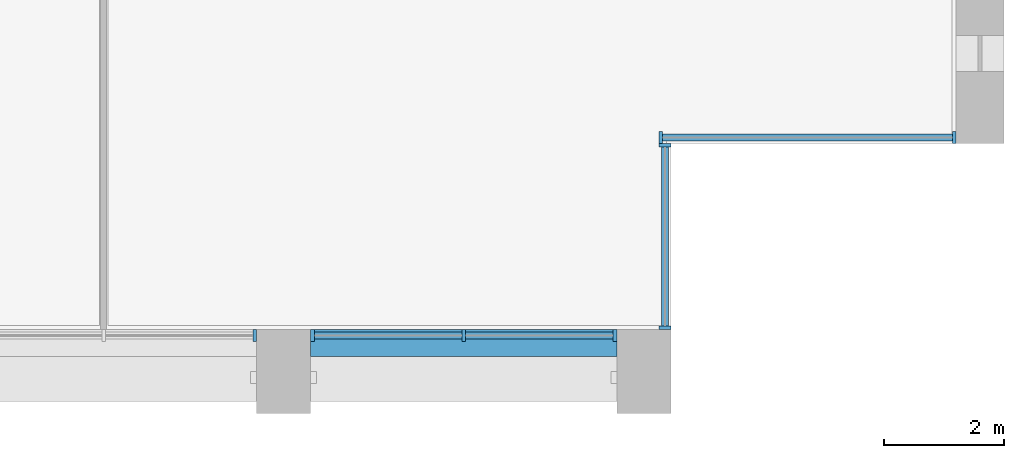
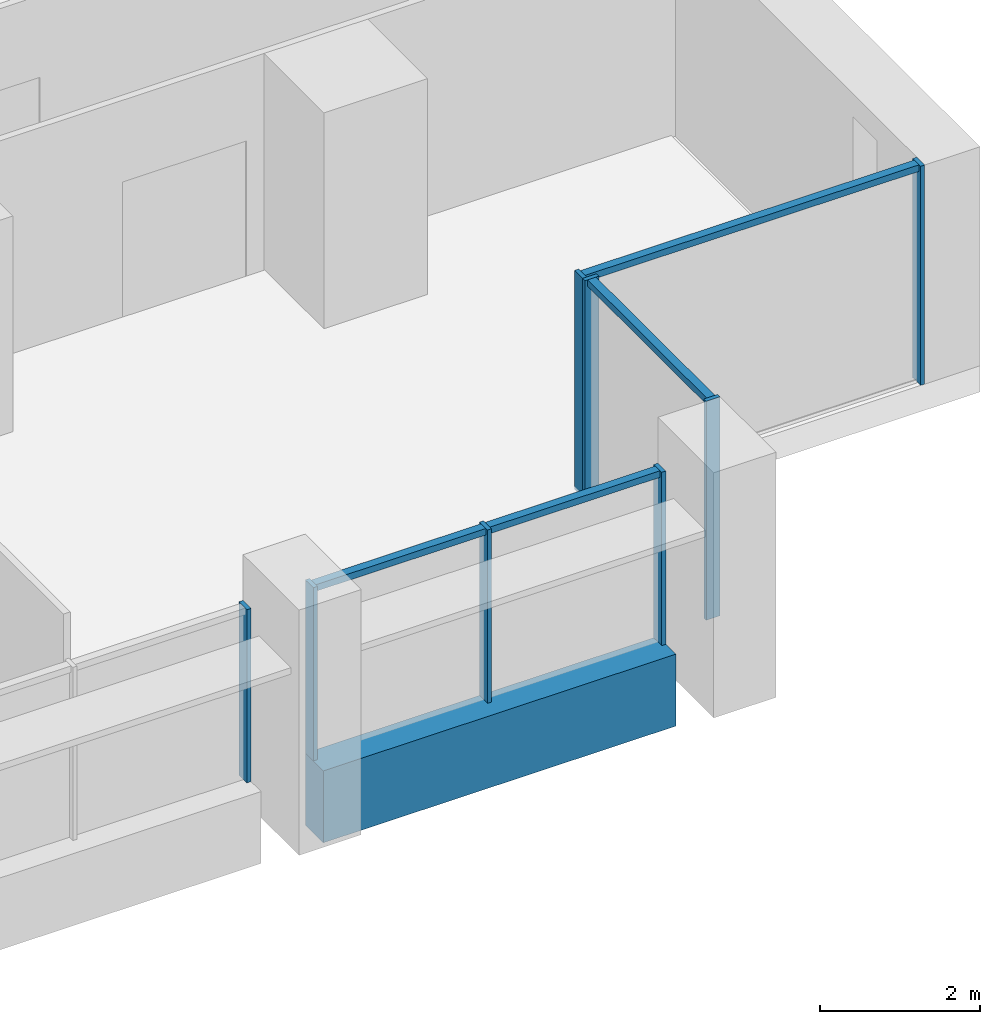
# One storey, part 5 of 18: 12 members, 1 beam, 4 elements without a shape of their own.
"""IFC4 building model written with IfcOpenShell, lengths in metres."""

from ifc_helpers import new_model, si_unit, direction, frame, origin, origin_2d, place, context, subcontext, project, spatial, rectangle, extrude, material, material_profile, profile_set, type_object, element, aggregate, save


model = new_model("IFC4")

# Units and contexts
model_context = context("Model", 3, precision=1e-05, world=origin(), true_north=direction((0.0, 1.0)))
body_context = subcontext(model_context, "Body", "Model", "MODEL_VIEW")
ifc_project = project(units=[si_unit("LENGTHUNIT", "METRE"), si_unit("AREAUNIT", "SQUARE_METRE"), si_unit("VOLUMEUNIT", "CUBIC_METRE"), si_unit("PLANEANGLEUNIT", "RADIAN"), si_unit("MASSUNIT", "GRAM", prefix="KILO")], contexts=[model_context])

# Site, building, storey
site_placement = place(None, origin())
site = spatial("IfcSite", under=ifc_project, at=site_placement, CompositionType="ELEMENT")
building_placement = place(site_placement, origin())
building = spatial("IfcBuilding", under=site, at=building_placement, Name="Calvaro Tower", CompositionType="ELEMENT")
storey_placement = place(building_placement, frame((0.0, 0.0, 82.5)))
storey = spatial("IfcBuildingStorey", under=building, at=storey_placement, Name="L20", CompositionType="ELEMENT", Elevation=82.5)

# Curtain wall, member
ifc_material_1 = material(Name="Anodised aluminium", Category="aluminium")
curtain_wall_type = type_object("IfcCurtainWallType", Name="Office curtain wall, lower zone", PredefinedType="NOTDEFINED", material=ifc_material_1)
curtain_wall_1_placement = place(storey_placement, origin())
curtain_wall_1 = element("IfcCurtainWall", 1, at=curtain_wall_1_placement, inside=storey, type_object=curtain_wall_type, Name="CW1 south curtain wall", PredefinedType="NOTDEFINED")
ifc_material_2 = material(Name="Anodised aluminium", Category="aluminium")
ifc_material_profile_1 = material_profile(ifc_material_2, rectangle(XDim=0.199951171875, YDim=0.06005859375, at=origin_2d()), Name="Mullion S1 60 x 200")
ifc_profile_set_1 = profile_set([ifc_material_profile_1], Name="Anodised aluminium")
member_type_1 = type_object("IfcMemberType", Name="Mullion S1 60 x 200", PredefinedType="MULLION", material=ifc_profile_set_1)
member_1_placement = place(storey_placement, frame((65.52001953125, 1.300048828125, 0.0), z_axis=(0.0, 0.0, 1.0), x_axis=(0.0, 1.0, 0.0)))
member_1 = element("IfcMember", 2, at=member_1_placement, type_object=member_type_1, Name="CW1 mullion 3", PredefinedType="MULLION", context=body_context, shape_type="SweptSolid", body=[
    extrude(rectangle(XDim=0.199951171875, YDim=0.06005859375, at=origin_2d()), origin(), (0.0, 0.0, 1.0), 2.64990234375),
])
aggregate(curtain_wall_1, [member_1])

# Curtain wall, members
curtain_wall_2_placement = place(storey_placement, origin())
curtain_wall_2 = element("IfcCurtainWall", 3, at=curtain_wall_2_placement, inside=storey, type_object=curtain_wall_type, Name="CW1 south curtain wall", PredefinedType="NOTDEFINED")
member_2_placement = place(storey_placement, frame((66.47998046875, 1.300048828125, 0.0), z_axis=(0.0, 0.0, 1.0), x_axis=(0.0, 1.0, 0.0)))
member_2 = element("IfcMember", 4, at=member_2_placement, type_object=member_type_1, Name="CW1 mullion 1", PredefinedType="MULLION", context=body_context, shape_type="SweptSolid", body=[
    extrude(rectangle(XDim=0.199951171875, YDim=0.06005859375, at=origin_2d()), origin(), (0.0, 0.0, 1.0), 2.64990234375),
])
member_3_placement = place(storey_placement, frame((69.0, 1.300048828125, 0.0), z_axis=(0.0, 0.0, 1.0), x_axis=(0.0, 1.0, 0.0)))
member_3 = element("IfcMember", 5, at=member_3_placement, type_object=member_type_1, Name="CW1 mullion 2", PredefinedType="MULLION", context=body_context, shape_type="SweptSolid", body=[
    extrude(rectangle(XDim=0.199951171875, YDim=0.06005859375, at=origin_2d()), origin(), (0.0, 0.0, 1.0), 2.64990234375),
])
member_4_placement = place(storey_placement, frame((71.52001953125, 1.300048828125, 0.0), z_axis=(0.0, 0.0, 1.0), x_axis=(0.0, 1.0, 0.0)))
member_4 = element("IfcMember", 6, at=member_4_placement, type_object=member_type_1, Name="CW1 mullion 3", PredefinedType="MULLION", context=body_context, shape_type="SweptSolid", body=[
    extrude(rectangle(XDim=0.199951171875, YDim=0.06005859375, at=origin_2d()), origin(), (0.0, 0.0, 1.0), 2.64990234375),
])

curtain_wall_3_placement = place(storey_placement, origin())
curtain_wall_3 = element("IfcCurtainWall", 7, at=curtain_wall_3_placement, inside=storey, type_object=curtain_wall_type, Name="CW1 corner curtain wall", PredefinedType="NOTDEFINED")
member_5_placement = place(storey_placement, frame((72.35009765625, 1.429931640625, 0.0), z_axis=(0.0, 0.0, 1.0), x_axis=(-1.0, 0.0, 0.0)))
member_5 = element("IfcMember", 8, at=member_5_placement, type_object=member_type_1, Name="CW1 mullion 1", PredefinedType="MULLION", context=body_context, shape_type="SweptSolid", body=[
    extrude(rectangle(XDim=0.199951171875, YDim=0.06005859375, at=origin_2d()), origin(), (0.0, 0.0, 1.0), 3.35009765625),
])
member_6_placement = place(storey_placement, frame((72.35009765625, 4.469970703125, 0.0), z_axis=(0.0, 0.0, 1.0), x_axis=(-1.0, 0.0, 0.0)))
member_6 = element("IfcMember", 9, at=member_6_placement, type_object=member_type_1, Name="CW1 mullion 2", PredefinedType="MULLION", context=body_context, shape_type="SweptSolid", body=[
    extrude(rectangle(XDim=0.199951171875, YDim=0.06005859375, at=origin_2d()), origin(), (0.0, 0.0, 1.0), 3.35009765625),
])

curtain_wall_4_placement = place(storey_placement, origin())
curtain_wall_4 = element("IfcCurtainWall", 10, at=curtain_wall_4_placement, inside=storey, type_object=curtain_wall_type, Name="CW1 corner curtain wall", PredefinedType="NOTDEFINED")
member_7_placement = place(storey_placement, frame((72.280029296875, 4.60009765625, 0.0), z_axis=(0.0, 0.0, 1.0), x_axis=(0.0, 1.0, 0.0)))
member_7 = element("IfcMember", 11, at=member_7_placement, type_object=member_type_1, Name="CW1 mullion 1", PredefinedType="MULLION", context=body_context, shape_type="SweptSolid", body=[
    extrude(rectangle(XDim=0.199951171875, YDim=0.06005859375, at=origin_2d()), origin(), (0.0, 0.0, 1.0), 3.35009765625),
])
member_8_placement = place(storey_placement, frame((77.169921875, 4.60009765625, 0.0), z_axis=(0.0, 0.0, 1.0), x_axis=(0.0, 1.0, 0.0)))
member_8 = element("IfcMember", 12, at=member_8_placement, type_object=member_type_1, Name="CW1 mullion 2", PredefinedType="MULLION", context=body_context, shape_type="SweptSolid", body=[
    extrude(rectangle(XDim=0.199951171875, YDim=0.06005859375, at=origin_2d()), origin(), (0.0, 0.0, 1.0), 3.35009765625),
])

# Beam
ifc_material_3 = material(Name="Concrete C50/60 precast", Category="concrete")
ifc_material_profile_2 = material_profile(ifc_material_3, rectangle(XDim=0.449951171875, YDim=1.10009765625, at=origin_2d()), Name="RC 450x1100")
ifc_profile_set_2 = profile_set([ifc_material_profile_2], Name="Concrete C50/60 precast")
beam_type = type_object("IfcBeamType", Name="Spandrel beam 450x1100 C50/60", PredefinedType="SPANDREL", material=ifc_profile_set_2)
beam_placement = place(storey_placement, frame((66.449951171875, 1.175048828125, -0.550048828125), z_axis=(1.0, 0.0, 0.0), x_axis=(0.0, 1.0, 0.0)))
element("IfcBeam", 13, at=beam_placement, inside=storey, type_object=beam_type, Name="Spandrel beam", PredefinedType="SPANDREL", context=body_context, shape_type="SweptSolid", body=[
    extrude(rectangle(XDim=0.449951171875, YDim=1.10009765625, at=origin_2d()), origin(), (0.0, 0.0, 1.0), 5.10009765625),
])

# Member
ifc_material_4 = material(Name="Anodised aluminium", Category="aluminium")
ifc_material_profile_3 = material_profile(ifc_material_4, rectangle(XDim=0.1201171875, YDim=0.10009765625, at=origin_2d()), Name="Transom S1 100 x 120")
ifc_profile_set_3 = profile_set([ifc_material_profile_3], Name="Anodised aluminium")
member_type_2 = type_object("IfcMemberType", Name="Transom S1 100 x 120", PredefinedType="USERDEFINED", material=ifc_profile_set_3)
member_9_placement = place(storey_placement, frame((66.510009765625, 1.300048828125, 2.60009765625), z_axis=(1.0, 0.0, 0.0), x_axis=(0.0, 1.0, 0.0)))
member_9 = element("IfcMember", 14, at=member_9_placement, type_object=member_type_2, Name="CW1 transom 1.1", ObjectType="TRANSOM", PredefinedType="USERDEFINED", context=body_context, shape_type="SweptSolid", body=[
    extrude(rectangle(XDim=0.1201171875, YDim=0.10009765625, at=origin_2d()), origin(), (0.0, 0.0, 1.0), 2.4599609375),
])

member_10_placement = place(storey_placement, frame((69.030029296875, 1.300048828125, 2.60009765625), z_axis=(1.0, 0.0, 0.0), x_axis=(0.0, 1.0, 0.0)))
member_10 = element("IfcMember", 15, at=member_10_placement, type_object=member_type_2, Name="CW1 transom 2.1", ObjectType="TRANSOM", PredefinedType="USERDEFINED", context=body_context, shape_type="SweptSolid", body=[
    extrude(rectangle(XDim=0.1201171875, YDim=0.10009765625, at=origin_2d()), origin(), (0.0, 0.0, 1.0), 2.4599609375),
])

aggregate(curtain_wall_2, [member_2, member_3, member_4, member_9, member_10])

member_11_placement = place(storey_placement, frame((72.35009765625, 1.4599609375, 3.300048828125), z_axis=(0.0, 1.0, 0.0), x_axis=(-1.0, 0.0, 0.0)))
member_11 = element("IfcMember", 16, at=member_11_placement, type_object=member_type_2, Name="CW1 transom 1.1", ObjectType="TRANSOM", PredefinedType="USERDEFINED", context=body_context, shape_type="SweptSolid", body=[
    extrude(rectangle(XDim=0.1201171875, YDim=0.10009765625, at=origin_2d()), origin(), (0.0, 0.0, 1.0), 2.97998046875),
])

aggregate(curtain_wall_3, [member_5, member_6, member_11])

member_12_placement = place(storey_placement, frame((72.31005859375, 4.60009765625, 3.300048828125), z_axis=(1.0, 0.0, 0.0), x_axis=(0.0, 1.0, 0.0)))
member_12 = element("IfcMember", 17, at=member_12_placement, type_object=member_type_2, Name="CW1 transom 1.1", ObjectType="TRANSOM", PredefinedType="USERDEFINED", context=body_context, shape_type="SweptSolid", body=[
    extrude(rectangle(XDim=0.1201171875, YDim=0.10009765625, at=origin_2d()), origin(), (0.0, 0.0, 1.0), 4.829833984375),
])

aggregate(curtain_wall_4, [member_7, member_8, member_12])

save(model, "model.ifc")
